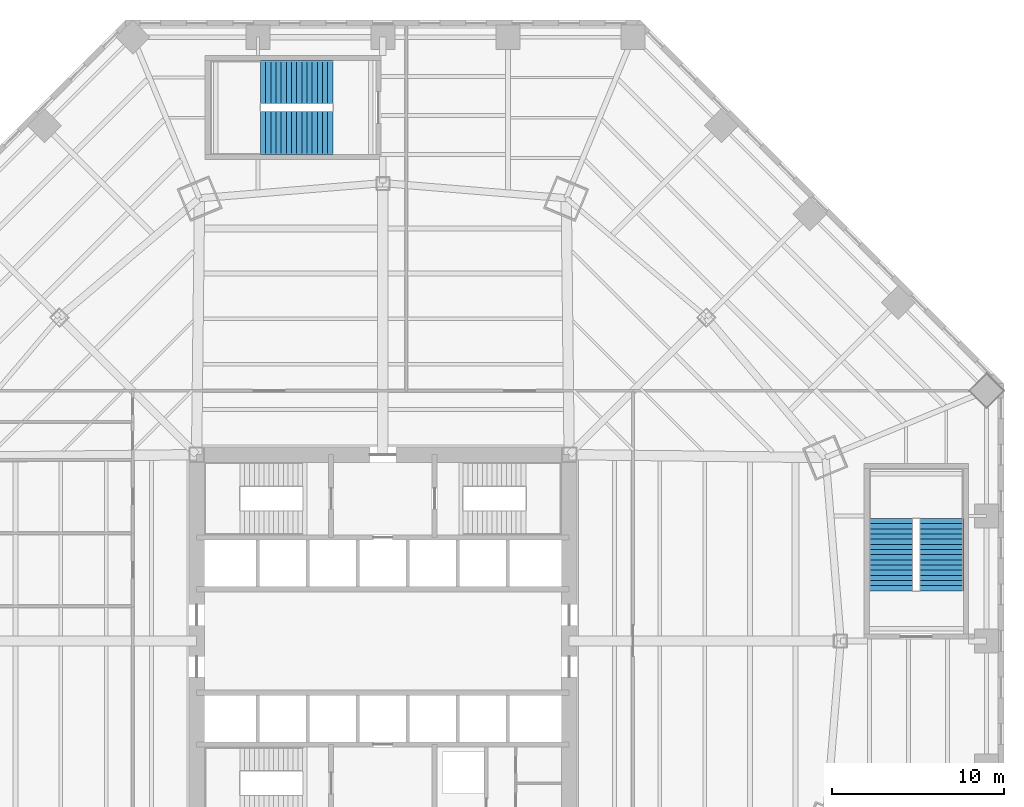
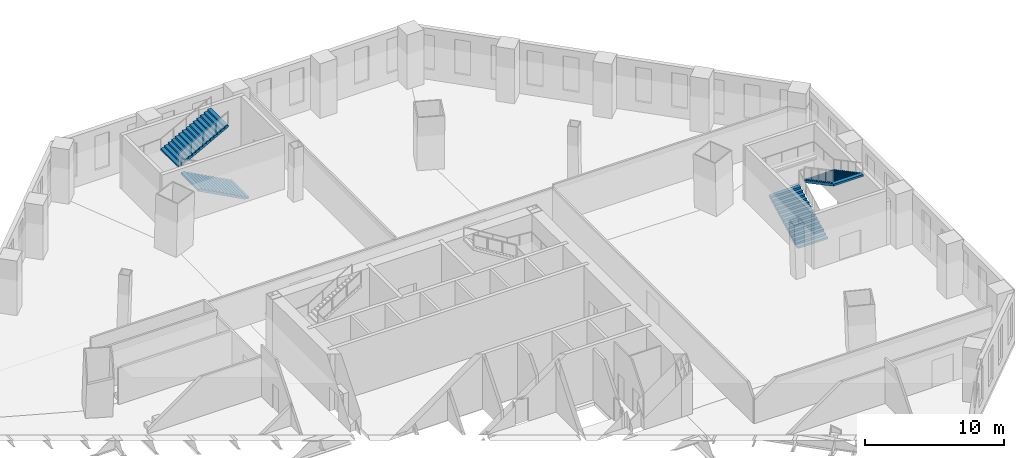
# One storey, part 15 of 19: 4 stair flights, 2 elements without a shape of their own.
"""IFC4 building model written with IfcOpenShell, lengths in metres."""

from ifc_helpers import new_model, si_unit, direction, frame, origin, place, context, subcontext, project, spatial, polyline, outline, extrude, material, type_object, element, aggregate, save


model = new_model("IFC4")

# Units and contexts
model_context = context("Model", 3, precision=1e-05, world=origin(), true_north=direction((0.0, 1.0)))
body_context = subcontext(model_context, "Body", "Model", "MODEL_VIEW")
ifc_project = project(units=[si_unit("LENGTHUNIT", "METRE"), si_unit("AREAUNIT", "SQUARE_METRE"), si_unit("VOLUMEUNIT", "CUBIC_METRE"), si_unit("PLANEANGLEUNIT", "RADIAN"), si_unit("MASSUNIT", "GRAM", prefix="KILO")], contexts=[model_context])

# Site, building, storey
site_placement = place(None, origin())
site = spatial("IfcSite", under=ifc_project, at=site_placement, CompositionType="ELEMENT")
building_placement = place(site_placement, origin())
building = spatial("IfcBuilding", under=site, at=building_placement, Name="Mashrafa Tower", CompositionType="ELEMENT")
storey_placement = place(building_placement, frame((0.0, 0.0, 24.0)))
storey = spatial("IfcBuildingStorey", under=building, at=storey_placement, Name="L04", CompositionType="ELEMENT", Elevation=24.0)

# Stair, stair flights
ifc_material_1 = material(Name="Exit stair 2500")
stair_type = type_object("IfcStairType", Name="Exit stair 2500", PredefinedType="HALF_TURN_STAIR", material=ifc_material_1)
stair_1_placement = place(storey_placement, origin())
stair_1 = element("IfcStair", 1, at=stair_1_placement, inside=storey, type_object=stair_type, Name="Stair P1 L04", PredefinedType="HALF_TURN_STAIR")
ifc_material_2 = material(Name="Concrete C32/40", Category="concrete")
stair_flight_type = type_object("IfcStairFlightType", Name="Stair flight 2500", PredefinedType="STRAIGHT", material=ifc_material_2)
stair_flight_1_placement = place(storey_placement, frame((29.449951171875, 2.89990234375, 0.0), z_axis=(0.0, 0.0, 1.0), x_axis=(0.0, 1.0, 0.0)))
stair_flight_1 = element("IfcStairFlight", 2, at=stair_flight_1_placement, type_object=stair_flight_type, Name="P1 flight 1", NumberOfRisers=15, NumberOfTreads=14, PredefinedType="STRAIGHT", RiserHeight=0.16, TreadLength=0.3, context=body_context, shape_type="SweptSolid", body=[
    extrude(outline(polyline([(0.0, 0.0), (0.0, 0.159912109375), (0.300048828125, 0.159912109375), (0.300048828125, 0.320068359375), (0.60009765625, 0.320068359375), (0.60009765625, 0.47998046875), (0.89990234375, 0.47998046875), (0.89990234375, 0.639892578125), (1.199951171875, 0.639892578125), (1.199951171875, 0.800048828125), (1.5, 0.800048828125), (1.5, 0.9599609375), (1.800048828125, 0.9599609375), (1.800048828125, 1.1201171875), (2.10009765625, 1.1201171875), (2.10009765625, 1.280029296875), (2.39990234375, 1.280029296875), (2.39990234375, 1.43994140625), (2.699951171875, 1.43994140625), (2.699951171875, 1.60009765625), (3.0, 1.60009765625), (3.0, 1.760009765625), (3.300048828125, 1.760009765625), (3.300048828125, 1.919921875), (3.60009765625, 1.919921875), (3.60009765625, 2.080078125), (3.89990234375, 2.080078125), (3.89990234375, 2.239990234375), (4.199951171875, 2.239990234375), (4.199951171875, 2.39990234375), (4.199951171875, 2.070068359375), (0.318603515625, 0.0), (0.0, 0.0)])), frame((0.0, 1.25, 0.0), z_axis=(0.0, -1.0, 0.0), x_axis=(1.0, 0.0, 0.0)), (0.0, 0.0, 1.0), 2.5),
])
stair_flight_2_placement = place(storey_placement, frame((32.39990234375, 7.10009765625, 2.39990234375), z_axis=(0.0, 0.0, 1.0), x_axis=(0.0, -1.0, 0.0)))
stair_flight_2 = element("IfcStairFlight", 3, at=stair_flight_2_placement, type_object=stair_flight_type, Name="P1 flight 2", NumberOfRisers=15, NumberOfTreads=14, PredefinedType="STRAIGHT", RiserHeight=0.16, TreadLength=0.3, context=body_context, shape_type="SweptSolid", body=[
    extrude(outline(polyline([(0.0, 0.0), (0.0, 0.159912109375), (0.300048828125, 0.159912109375), (0.300048828125, 0.320068359375), (0.60009765625, 0.320068359375), (0.60009765625, 0.47998046875), (0.89990234375, 0.47998046875), (0.89990234375, 0.639892578125), (1.199951171875, 0.639892578125), (1.199951171875, 0.800048828125), (1.5, 0.800048828125), (1.5, 0.9599609375), (1.800048828125, 0.9599609375), (1.800048828125, 1.1201171875), (2.10009765625, 1.1201171875), (2.10009765625, 1.280029296875), (2.39990234375, 1.280029296875), (2.39990234375, 1.43994140625), (2.699951171875, 1.43994140625), (2.699951171875, 1.60009765625), (3.0, 1.60009765625), (3.0, 1.760009765625), (3.300048828125, 1.760009765625), (3.300048828125, 1.919921875), (3.60009765625, 1.919921875), (3.60009765625, 2.080078125), (3.89990234375, 2.080078125), (3.89990234375, 2.239990234375), (4.199951171875, 2.239990234375), (4.199951171875, 2.39990234375), (4.199951171875, 2.070068359375), (0.318603515625, 0.0), (0.0, 0.0)])), frame((0.0, 1.25, 0.0), z_axis=(0.0, -1.0, 0.0), x_axis=(1.0, 0.0, 0.0)), (0.0, 0.0, 1.0), 2.5),
])
aggregate(stair_1, [stair_flight_1, stair_flight_2])

stair_2_placement = place(storey_placement, origin())
stair_2 = element("IfcStair", 4, at=stair_2_placement, inside=storey, type_object=stair_type, Name="Stair P2 L04", PredefinedType="HALF_TURN_STAIR")
stair_flight_3_placement = place(storey_placement, frame((-2.89990234375, 29.449951171875, 0.0), z_axis=(0.0, 0.0, 1.0), x_axis=(-1.0, 0.0, 0.0)))
stair_flight_3 = element("IfcStairFlight", 5, at=stair_flight_3_placement, type_object=stair_flight_type, Name="P2 flight 1", NumberOfRisers=15, NumberOfTreads=14, PredefinedType="STRAIGHT", RiserHeight=0.16, TreadLength=0.3, context=body_context, shape_type="SweptSolid", body=[
    extrude(outline(polyline([(0.0, 0.0), (0.0, 0.159912109375), (0.300048828125, 0.159912109375), (0.300048828125, 0.320068359375), (0.60009765625, 0.320068359375), (0.60009765625, 0.47998046875), (0.89990234375, 0.47998046875), (0.89990234375, 0.639892578125), (1.199951171875, 0.639892578125), (1.199951171875, 0.800048828125), (1.5, 0.800048828125), (1.5, 0.9599609375), (1.800048828125, 0.9599609375), (1.800048828125, 1.1201171875), (2.10009765625, 1.1201171875), (2.10009765625, 1.280029296875), (2.39990234375, 1.280029296875), (2.39990234375, 1.43994140625), (2.699951171875, 1.43994140625), (2.699951171875, 1.60009765625), (3.0, 1.60009765625), (3.0, 1.760009765625), (3.300048828125, 1.760009765625), (3.300048828125, 1.919921875), (3.60009765625, 1.919921875), (3.60009765625, 2.080078125), (3.89990234375, 2.080078125), (3.89990234375, 2.239990234375), (4.199951171875, 2.239990234375), (4.199951171875, 2.39990234375), (4.199951171875, 2.070068359375), (0.318603515625, 0.0), (0.0, 0.0)])), frame((0.0, 1.25, 0.0), z_axis=(0.0, -1.0, 0.0), x_axis=(1.0, 0.0, 0.0)), (0.0, 0.0, 1.0), 2.5),
])
stair_flight_4_placement = place(storey_placement, frame((-7.10009765625, 32.39990234375, 2.39990234375), z_axis=(0.0, 0.0, 1.0), x_axis=(1.0, 0.0, 0.0)))
stair_flight_4 = element("IfcStairFlight", 6, at=stair_flight_4_placement, type_object=stair_flight_type, Name="P2 flight 2", NumberOfRisers=15, NumberOfTreads=14, PredefinedType="STRAIGHT", RiserHeight=0.16, TreadLength=0.3, context=body_context, shape_type="SweptSolid", body=[
    extrude(outline(polyline([(0.0, 0.0), (0.0, 0.159912109375), (0.300048828125, 0.159912109375), (0.300048828125, 0.320068359375), (0.60009765625, 0.320068359375), (0.60009765625, 0.47998046875), (0.89990234375, 0.47998046875), (0.89990234375, 0.639892578125), (1.199951171875, 0.639892578125), (1.199951171875, 0.800048828125), (1.5, 0.800048828125), (1.5, 0.9599609375), (1.800048828125, 0.9599609375), (1.800048828125, 1.1201171875), (2.10009765625, 1.1201171875), (2.10009765625, 1.280029296875), (2.39990234375, 1.280029296875), (2.39990234375, 1.43994140625), (2.699951171875, 1.43994140625), (2.699951171875, 1.60009765625), (3.0, 1.60009765625), (3.0, 1.760009765625), (3.300048828125, 1.760009765625), (3.300048828125, 1.919921875), (3.60009765625, 1.919921875), (3.60009765625, 2.080078125), (3.89990234375, 2.080078125), (3.89990234375, 2.239990234375), (4.199951171875, 2.239990234375), (4.199951171875, 2.39990234375), (4.199951171875, 2.070068359375), (0.318603515625, 0.0), (0.0, 0.0)])), frame((0.0, 1.25, 0.0), z_axis=(0.0, -1.0, 0.0), x_axis=(1.0, 0.0, 0.0)), (0.0, 0.0, 1.0), 2.5),
])
aggregate(stair_2, [stair_flight_3, stair_flight_4])

save(model, "model.ifc")
